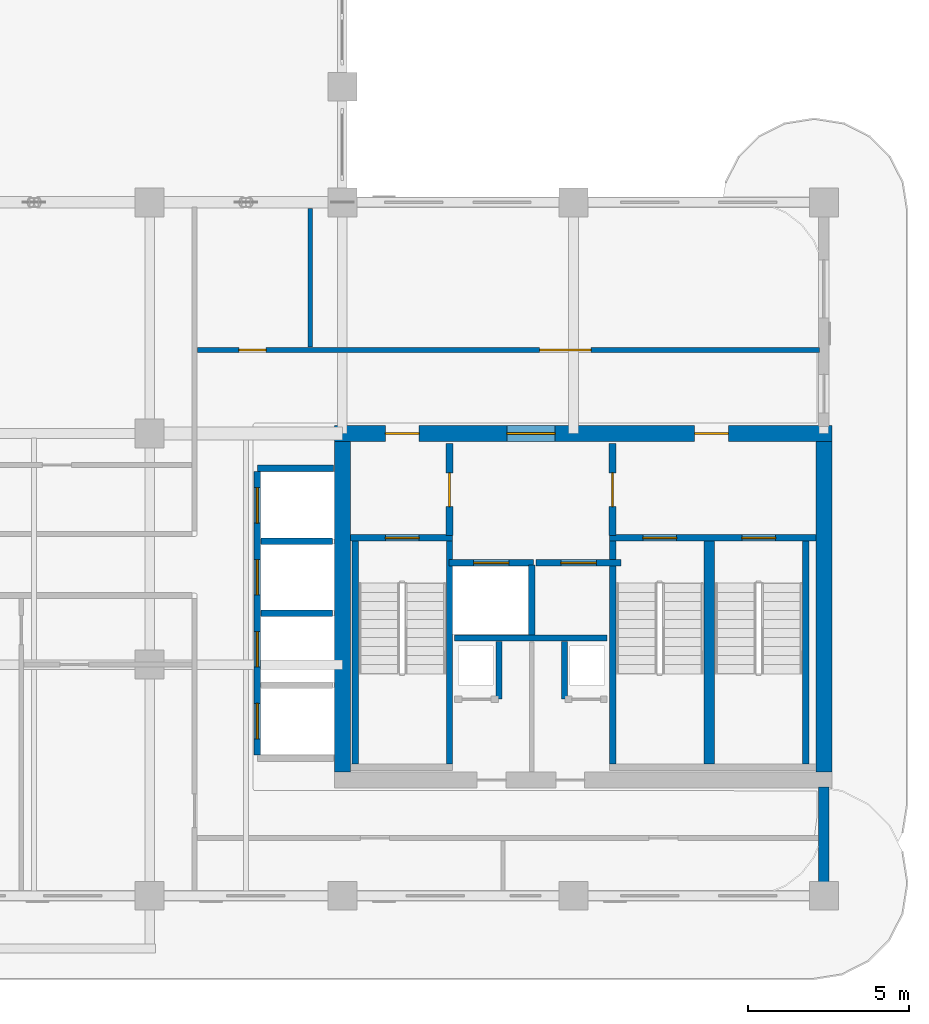
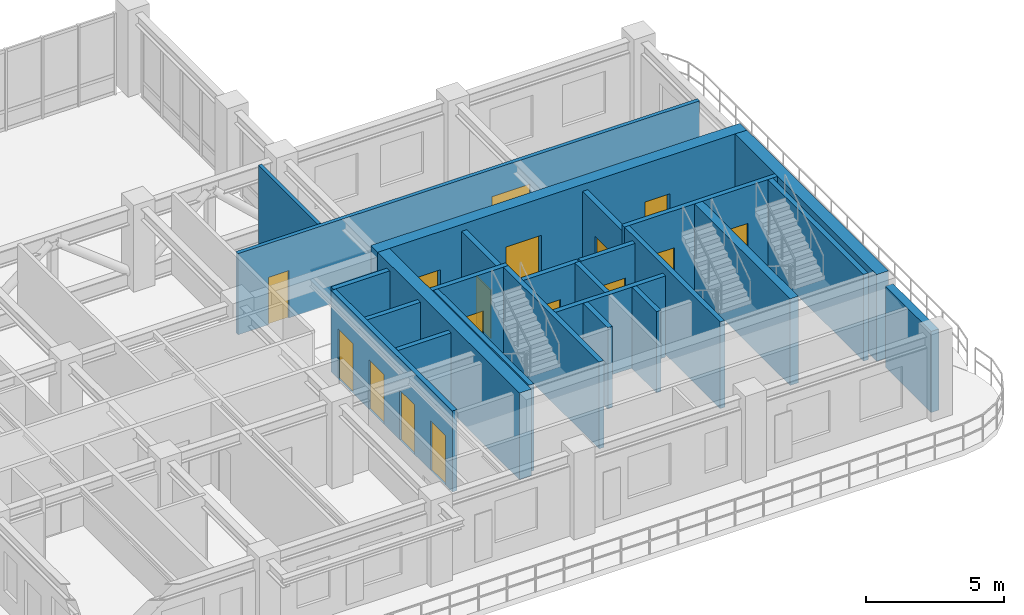
# One storey, part 12 of 19: 25 walls, 16 doors, 16 openings.
"""IFC4 building model written with IfcOpenShell, lengths in metres."""

from ifc_helpers import new_model, si_unit, derived_unit, direction, frame, frame_2d, origin, place, context, subcontext, project, spatial, rectangle, extrude, source, transform, mapped, material, layer, layer_set, type_object, type_shapes, element, fill, save


model = new_model("IFC4")

# Units and contexts
model_context = context("Model", 3, precision=1e-05, world=origin(), true_north=direction((0.0, 1.0)))
body_context = subcontext(model_context, "Body", "Model", "MODEL_VIEW")
ifc_project = project(units=[si_unit("LENGTHUNIT", "METRE"), si_unit("AREAUNIT", "SQUARE_METRE"), si_unit("VOLUMEUNIT", "CUBIC_METRE"), si_unit("PLANEANGLEUNIT", "RADIAN"), si_unit("MASSUNIT", "GRAM", prefix="KILO"), si_unit("THERMODYNAMICTEMPERATUREUNIT", "KELVIN"), si_unit("POWERUNIT", "WATT"), derived_unit("THERMALTRANSMITTANCEUNIT", [(si_unit("POWERUNIT", "WATT"), 1), (si_unit("AREAUNIT", "SQUARE_METRE"), -1), (si_unit("THERMODYNAMICTEMPERATUREUNIT", "KELVIN"), -1)])], contexts=[model_context])

# Site, building, storey
site_placement = place(None, origin())
site = spatial("IfcSite", under=ifc_project, at=site_placement, CompositionType="ELEMENT")
building_placement = place(site_placement, origin())
building = spatial("IfcBuilding", under=site, at=building_placement, Name="Zahravan Archway Hotel and Residences", CompositionType="ELEMENT")
storey_placement = place(building_placement, frame((0.0, 0.0, 201.89990234375)))
storey = spatial("IfcBuildingStorey", under=building, at=storey_placement, Name="L50", CompositionType="ELEMENT", Elevation=201.89990234375)

# Wall, openings, doors
ifc_material_1 = material(Name="Concrete C60/75", Category="concrete")
ifc_layer_1 = layer(ifc_material_1, 0.5, Name="Concrete C60/75", Category="concrete")
ifc_layer_set_1 = layer_set([ifc_layer_1], Name="Concrete C60/75")
wall_type_1 = type_object("IfcWallType", Name="CW-CORE-500", PredefinedType="SHEAR", material=ifc_layer_set_1)
wall_1_placement = place(storey_placement, frame((34.550048828125, 14.39990234375, 0.0), z_axis=(0.0, 0.0, 1.0), x_axis=(1.0, 0.0, 0.0)))
wall_1 = element("IfcWall", 1, at=wall_1_placement, inside=storey, type_object=wall_type_1, Name="L50 Core A Shear N Wall 500 mm", PredefinedType="SHEAR", context=body_context, shape_type="SweptSolid", body=[
    extrude(rectangle(XDim=15.5, YDim=0.5, at=frame_2d((7.75, 0.0))), origin(), (0.0, 0.0, 1.0), 3.85009765625),
])
opening_1_placement = place(wall_1_placement, frame((5.3798828125, 0.0, 0.0)))
opening_1 = element("IfcOpeningElement", 2, at=opening_1_placement, cuts=wall_1, Name="Opening FD-L1", PredefinedType="OPENING", context=body_context, shape_type="SweptSolid", body=[
    extrude(rectangle(XDim=1.5, YDim=2.199951171875, at=frame_2d((0.75, 1.10009765625))), frame((0.0, 0.260009765625, 0.0), z_axis=(0.0, -1.0, 0.0), x_axis=(1.0, 0.0, 0.0)), (0.0, 0.0, 1.0), 0.52001953125),
])
opening_2_placement = place(wall_1_placement, frame((1.594970703125, 0.0, 0.0)))
opening_2 = element("IfcOpeningElement", 3, at=opening_2_placement, cuts=wall_1, Name="Opening FD-L2", PredefinedType="OPENING", context=body_context, shape_type="SweptSolid", body=[
    extrude(rectangle(XDim=1.050048828125, YDim=2.14990234375, at=frame_2d((0.52490234375, 1.074951171875))), frame((0.0, 0.260009765625, 0.0), z_axis=(0.0, -1.0, 0.0), x_axis=(1.0, 0.0, 0.0)), (0.0, 0.0, 1.0), 0.52001953125),
])
opening_3_placement = place(wall_1_placement, frame((11.22509765625, 0.0, 0.0)))
opening_3 = element("IfcOpeningElement", 4, at=opening_3_placement, cuts=wall_1, Name="Opening FD-L2", PredefinedType="OPENING", context=body_context, shape_type="SweptSolid", body=[
    extrude(rectangle(XDim=1.050048828125, YDim=2.14990234375, at=frame_2d((0.52490234375, 1.074951171875))), frame((0.0, 0.260009765625, 0.0), z_axis=(0.0, -1.0, 0.0), x_axis=(1.0, 0.0, 0.0)), (0.0, 0.0, 1.0), 0.52001953125),
])
ifc_material_2 = material(Name="Fire-Rated Painted Steel", Category="steel")
door_type_1 = type_object("IfcDoorType", Name="FD-LOBBY-1100", OperationType="NOTDEFINED", PredefinedType="DOOR", material=ifc_material_2)
shared_shape_1 = source(origin(), body_context, "Body", "SweptSolid", [
    extrude(rectangle(XDim=1.050048828125, YDim=2.14990234375, at=frame_2d((0.52490234375, 1.074951171875))), frame((0.0, 0.02490234375, 0.0), z_axis=(0.0, -1.0, 0.0), x_axis=(1.0, 0.0, 0.0)), (0.0, 0.0, 1.0), 0.050048828125),
])
type_shapes(door_type_1, [shared_shape_1])
door_1_placement = place(opening_2_placement, origin())
door_1 = element("IfcDoor", 5, at=door_1_placement, inside=storey, type_object=door_type_1, Name="L50 Core A West Stair Lobby Door", OperationType="SINGLE_SWING_LEFT", OverallHeight=2.14990234375, OverallWidth=1.050048828125, PredefinedType="DOOR", context=body_context, shape_type="MappedRepresentation", body=[
    mapped(shared_shape_1, transform((0.0, 0.0, 0.0), scale=1.0)),
])
fill(opening_2, door_1)
door_2_placement = place(opening_3_placement, origin())
door_2 = element("IfcDoor", 6, at=door_2_placement, inside=storey, type_object=door_type_1, Name="L50 Core A East Stair Lobby Door", OperationType="SINGLE_SWING_RIGHT", OverallHeight=2.14990234375, OverallWidth=1.050048828125, PredefinedType="DOOR", context=body_context, shape_type="MappedRepresentation", body=[
    mapped(shared_shape_1, transform((0.0, 0.0, 0.0), scale=1.0)),
])
fill(opening_3, door_2)
door_type_2 = type_object("IfcDoorType", Name="FD-LOBBY-1500", OperationType="DOUBLE_DOOR_SINGLE_SWING", PredefinedType="DOOR", material=ifc_material_2)
shared_shape_2 = source(origin(), body_context, "Body", "SweptSolid", [
    extrude(rectangle(XDim=1.5, YDim=2.199951171875, at=frame_2d((0.75, 1.10009765625))), frame((0.0, 0.02490234375, 0.0), z_axis=(0.0, -1.0, 0.0), x_axis=(1.0, 0.0, 0.0)), (0.0, 0.0, 1.0), 0.050048828125),
])
type_shapes(door_type_2, [shared_shape_2])
door_3_placement = place(opening_1_placement, origin())
door_3 = element("IfcDoor", 7, at=door_3_placement, inside=storey, type_object=door_type_2, Name="L50 Core A FSAE Lobby Main Door", OperationType="DOUBLE_DOOR_SINGLE_SWING", OverallHeight=2.199951171875, OverallWidth=1.5, PredefinedType="DOOR", context=body_context, shape_type="MappedRepresentation", body=[
    mapped(shared_shape_2, transform((0.0, 0.0, 0.0), scale=1.0)),
])
fill(opening_1, door_3)

# Walls
for number, where, z_axis, x_axis, name in (
    (8, (34.800048828125, 3.85009765625, 0.0), (0.0, 0.0, 1.0), (0.0, 1.0, 0.0), "L50 Core A Shear W Wall 500 mm"),
    (9, (49.800048828125, 3.85009765625, 0.0), (0.0, 0.0, 1.0), (0.0, 1.0, 0.0), "L50 Core A Shear E Wall 500 mm"),
):
    element("IfcWall", number, at=place(storey_placement, frame(where, z_axis=z_axis, x_axis=x_axis)), inside=storey, type_object=wall_type_1, Name=name, PredefinedType="SHEAR", context=body_context, shape_type="SweptSolid", body=[
        extrude(rectangle(XDim=10.2998046875, YDim=0.5, at=frame_2d((5.14990234375, 0.0))), origin(), (0.0, 0.0, 1.0), 3.85009765625),
    ])
ifc_material_3 = material(Name="Agra Buff Sandstone & Insulated Backup", Category="masonry")
ifc_layer_2 = layer(ifc_material_3, 0.320068359375, Name="Agra Buff Sandstone & Insulated Backup", Category="masonry")
ifc_layer_set_2 = layer_set([ifc_layer_2], Name="Agra Buff Sandstone & Insulated Backup")
wall_type_2 = type_object("IfcWallType", Name="EW-SAND-320", PredefinedType="SOLIDWALL", material=ifc_layer_set_2)
wall_2_placement = place(storey_placement, frame((49.800048828125, 0.050048828125, 0.0), z_axis=(0.0, 0.0, 1.0), x_axis=(0.0, 1.0, 0.0)))
element("IfcWall", 10, at=wall_2_placement, inside=storey, type_object=wall_type_2, Name="L50 Exterior Sandstone Wall WA-ES", PredefinedType="SOLIDWALL", context=body_context, shape_type="SweptSolid", body=[
    extrude(rectangle(XDim=3.329833984375, YDim=0.320068359375, at=frame_2d((1.6650390625, 0.0))), origin(), (0.0, 0.0, 1.0), 3.60009765625),
])

# Wall, opening, door
ifc_material_4 = material(Name="Fire-Rated Gypsum & Concrete Block", Category="concrete")
ifc_layer_3 = layer(ifc_material_4, 0.219970703125, Name="Fire-Rated Gypsum & Concrete Block", Category="concrete")
ifc_layer_set_3 = layer_set([ifc_layer_3], Name="Fire-Rated Gypsum & Concrete Block")
wall_type_3 = type_object("IfcWallType", Name="PW-COMP-220", PredefinedType="PARTITIONING", material=ifc_layer_set_3)
wall_3_placement = place(storey_placement, frame((38.139892578125, 11.219970703125, 0.0), z_axis=(0.0, 0.0, 1.0), x_axis=(0.0, 1.0, 0.0)))
wall_3 = element("IfcWall", 11, at=wall_3_placement, inside=storey, type_object=wall_type_3, Name="L50 Partition CA-LOBW", PredefinedType="PARTITIONING", context=body_context, shape_type="SweptSolid", body=[
    extrude(rectangle(XDim=2.860107421875, YDim=0.219970703125, at=frame_2d((1.43017578125, 0.0))), origin(), (0.0, 0.0, 1.0), 3.60009765625),
])
opening_4_placement = place(wall_3_placement, frame((0.905029296875, 0.0, 0.0)))
opening_4 = element("IfcOpeningElement", 12, at=opening_4_placement, cuts=wall_3, Name="Opening FD-L2", PredefinedType="OPENING", context=body_context, shape_type="SweptSolid", body=[
    extrude(rectangle(XDim=1.050048828125, YDim=2.14990234375, at=frame_2d((0.52490234375, 1.074951171875))), frame((0.0, 0.1201171875, 0.0), z_axis=(0.0, -1.0, 0.0), x_axis=(1.0, 0.0, 0.0)), (0.0, 0.0, 1.0), 0.239990234375),
])
door_4_placement = place(opening_4_placement, origin())
door_4 = element("IfcDoor", 13, at=door_4_placement, inside=storey, type_object=door_type_1, Name="L50 Core A West Stair to FSAE Lobby Door", OperationType="SINGLE_SWING_LEFT", OverallHeight=2.14990234375, OverallWidth=1.050048828125, PredefinedType="DOOR", context=body_context, shape_type="MappedRepresentation", body=[
    mapped(shared_shape_1, transform((0.0, 0.0, 0.0), scale=1.0)),
])
fill(opening_4, door_4)

wall_4_placement = place(storey_placement, frame((43.219970703125, 11.219970703125, 0.0), z_axis=(0.0, 0.0, 1.0), x_axis=(0.0, 1.0, 0.0)))
wall_4 = element("IfcWall", 14, at=wall_4_placement, inside=storey, type_object=wall_type_3, Name="L50 Partition CA-LOBE", PredefinedType="PARTITIONING", context=body_context, shape_type="SweptSolid", body=[
    extrude(rectangle(XDim=2.860107421875, YDim=0.219970703125, at=frame_2d((1.43017578125, 0.0))), origin(), (0.0, 0.0, 1.0), 3.60009765625),
])
opening_5_placement = place(wall_4_placement, frame((0.905029296875, 0.0, 0.0)))
opening_5 = element("IfcOpeningElement", 15, at=opening_5_placement, cuts=wall_4, Name="Opening FD-L2", PredefinedType="OPENING", context=body_context, shape_type="SweptSolid", body=[
    extrude(rectangle(XDim=1.050048828125, YDim=2.14990234375, at=frame_2d((0.52490234375, 1.074951171875))), frame((0.0, 0.1201171875, 0.0), z_axis=(0.0, -1.0, 0.0), x_axis=(1.0, 0.0, 0.0)), (0.0, 0.0, 1.0), 0.239990234375),
])
door_5_placement = place(opening_5_placement, origin())
door_5 = element("IfcDoor", 16, at=door_5_placement, inside=storey, type_object=door_type_1, Name="L50 Core A East Stair to FSAE Lobby Door", OperationType="SINGLE_SWING_RIGHT", OverallHeight=2.14990234375, OverallWidth=1.050048828125, PredefinedType="DOOR", context=body_context, shape_type="MappedRepresentation", body=[
    mapped(shared_shape_1, transform((0.0, 0.0, 0.0), scale=1.0)),
])
fill(opening_5, door_5)

# Wall, openings, doors
ifc_layer_4 = layer(ifc_material_4, 0.159912109375, Name="Fire-Rated Gypsum & Concrete Block", Category="concrete")
ifc_layer_set_4 = layer_set([ifc_layer_4], Name="Fire-Rated Gypsum & Concrete Block")
wall_type_4 = type_object("IfcWallType", Name="PW-CORR-160", PredefinedType="PARTITIONING", material=ifc_layer_set_4)
wall_5_placement = place(storey_placement, frame((30.2900390625, 17.0, 0.0), z_axis=(0.0, 0.0, 1.0), x_axis=(1.0, 0.0, 0.0)))
wall_5 = element("IfcWall", 17, at=wall_5_placement, inside=storey, type_object=wall_type_4, Name="L50 Partition WA-FN", PredefinedType="PARTITIONING", context=body_context, shape_type="SweptSolid", body=[
    extrude(rectangle(XDim=19.369873046875, YDim=0.159912109375, at=frame_2d((9.68505859375, 0.0))), origin(), (0.0, 0.0, 1.0), 3.60009765625),
])
opening_6_placement = place(wall_5_placement, frame((1.284912109375, 0.0, 0.0)))
opening_6 = element("IfcOpeningElement", 18, at=opening_6_placement, cuts=wall_5, Name="Opening D-B1", PredefinedType="OPENING", context=body_context, shape_type="SweptSolid", body=[
    extrude(rectangle(XDim=0.85009765625, YDim=2.10009765625, at=frame_2d((0.425048828125, 1.050048828125))), frame((0.0, 0.08984375, 0.0), z_axis=(0.0, -1.0, 0.0), x_axis=(1.0, 0.0, 0.0)), (0.0, 0.0, 1.0), 0.179931640625),
])
opening_7_placement = place(wall_5_placement, frame((10.659912109375, 0.0, 0.0)))
opening_7 = element("IfcOpeningElement", 19, at=opening_7_placement, cuts=wall_5, Name="Opening D-P2", PredefinedType="OPENING", context=body_context, shape_type="SweptSolid", body=[
    extrude(rectangle(XDim=1.60009765625, YDim=2.39990234375, at=frame_2d((0.800048828125, 1.199951171875))), frame((0.0, 0.08984375, 0.0), z_axis=(0.0, -1.0, 0.0), x_axis=(1.0, 0.0, 0.0)), (0.0, 0.0, 1.0), 0.179931640625),
])
ifc_material_5 = material(Name="Bronze-Anodized Glazed Aluminium", Category="aluminium")
door_type_3 = type_object("IfcDoorType", Name="ID-PUBLIC-1600", OperationType="DOUBLE_DOOR_SINGLE_SWING", PredefinedType="DOOR", material=ifc_material_5)
shared_shape_3 = source(origin(), body_context, "Body", "SweptSolid", [
    extrude(rectangle(XDim=1.60009765625, YDim=2.39990234375, at=frame_2d((0.800048828125, 1.199951171875))), frame((0.0, 0.02490234375, 0.0), z_axis=(0.0, -1.0, 0.0), x_axis=(1.0, 0.0, 0.0)), (0.0, 0.0, 1.0), 0.050048828125),
])
type_shapes(door_type_3, [shared_shape_3])
door_6_placement = place(opening_7_placement, origin())
door_6 = element("IfcDoor", 20, at=door_6_placement, inside=storey, type_object=door_type_3, Name="L50 North Fitness Gym Door", OperationType="DOUBLE_DOOR_SINGLE_SWING", OverallHeight=2.39990234375, OverallWidth=1.60009765625, PredefinedType="DOOR", context=body_context, shape_type="MappedRepresentation", body=[
    mapped(shared_shape_3, transform((0.0, 0.0, 0.0), scale=1.0)),
])
fill(opening_7, door_6)
ifc_material_6 = material(Name="Hardwood Veneer Timber", Category="wood")
door_type_4 = type_object("IfcDoorType", Name="ID-BATH-850", OperationType="NOTDEFINED", PredefinedType="DOOR", material=ifc_material_6)
shared_shape_4 = source(origin(), body_context, "Body", "SweptSolid", [
    extrude(rectangle(XDim=0.85009765625, YDim=2.10009765625, at=frame_2d((0.425048828125, 1.050048828125))), frame((0.0, 0.02490234375, 0.0), z_axis=(0.0, -1.0, 0.0), x_axis=(1.0, 0.0, 0.0)), (0.0, 0.0, 1.0), 0.050048828125),
])
type_shapes(door_type_4, [shared_shape_4])
door_7_placement = place(opening_6_placement, origin())
door_7 = element("IfcDoor", 21, at=door_7_placement, inside=storey, type_object=door_type_4, Name="L50 Accessible Restroom Door", OperationType="SINGLE_SWING_LEFT", OverallHeight=2.10009765625, OverallWidth=0.85009765625, PredefinedType="DOOR", context=body_context, shape_type="MappedRepresentation", body=[
    mapped(shared_shape_4, transform((0.0, 0.0, 0.0), scale=1.0)),
])
fill(opening_6, door_7)

# Walls
ifc_layer_5 = layer(ifc_material_4, 0.199951171875, Name="Fire-Rated Gypsum & Concrete Block", Category="concrete")
ifc_layer_set_5 = layer_set([ifc_layer_5], Name="Fire-Rated Gypsum & Concrete Block")
wall_type_5 = type_object("IfcWallType", Name="PW-SHAFT-200", PredefinedType="PARTITIONING", material=ifc_layer_set_5)
wall_6_placement = place(storey_placement, frame((38.300048828125, 8.030029296875, 0.0), z_axis=(0.0, 0.0, 1.0), x_axis=(1.0, 0.0, 0.0)))
element("IfcWall", 22, at=wall_6_placement, inside=storey, type_object=wall_type_5, Name="L50 Partition CA-FLS", PredefinedType="PARTITIONING", context=body_context, shape_type="SweptSolid", body=[
    extrude(rectangle(XDim=4.739990234375, YDim=0.199951171875, at=frame_2d((2.3701171875, 0.0))), origin(), (0.0, 0.0, 1.0), 3.60009765625),
])
wall_7_placement = place(storey_placement, frame((40.699951171875, 8.1201171875, 0.0), z_axis=(0.0, 0.0, 1.0), x_axis=(0.0, 1.0, 0.0)))
element("IfcWall", 23, at=wall_7_placement, inside=storey, type_object=wall_type_5, Name="L50 Partition CA-FLM", PredefinedType="PARTITIONING", context=body_context, shape_type="SweptSolid", body=[
    extrude(rectangle(XDim=2.179931640625, YDim=0.199951171875, at=frame_2d((1.08984375, 0.0))), origin(), (0.0, 0.0, 1.0), 3.60009765625),
])
for number, where, z_axis, x_axis, name in (
    (24, (39.679931640625, 6.1298828125, 0.0), (0.0, 0.0, 1.0), (0.0, 1.0, 0.0), "L50 Partition CA-SMKE"),
    (25, (41.719970703125, 6.1298828125, 0.0), (0.0, 0.0, 1.0), (0.0, 1.0, 0.0), "L50 Partition CA-MEPW"),
):
    element("IfcWall", number, at=place(storey_placement, frame(where, z_axis=z_axis, x_axis=x_axis)), inside=storey, type_object=wall_type_5, Name=name, PredefinedType="PARTITIONING", context=body_context, shape_type="SweptSolid", body=[
        extrude(rectangle(XDim=1.7900390625, YDim=0.199951171875, at=frame_2d((0.89501953125, 0.0))), origin(), (0.0, 0.0, 1.0), 3.60009765625),
    ])
wall_8_placement = place(storey_placement, frame((32.159912109375, 13.320068359375, 0.0), z_axis=(0.0, 0.0, 1.0), x_axis=(1.0, 0.0, 0.0)))
element("IfcWall", 26, at=wall_8_placement, inside=storey, type_object=wall_type_5, Name="L50 Partition B3-N", PredefinedType="PARTITIONING", context=body_context, shape_type="SweptSolid", body=[
    extrude(rectangle(XDim=2.360107421875, YDim=0.199951171875, at=frame_2d((1.18017578125, 0.0))), origin(), (0.0, 0.0, 1.0), 3.60009765625),
])

# Wall, openings, doors
wall_9_placement = place(storey_placement, frame((32.14990234375, 4.389892578125, 0.0), z_axis=(0.0, 0.0, 1.0), x_axis=(0.0, 1.0, 0.0)))
wall_9 = element("IfcWall", 27, at=wall_9_placement, inside=storey, type_object=wall_type_5, Name="L50 Partition B3-W", PredefinedType="PARTITIONING", context=body_context, shape_type="SweptSolid", body=[
    extrude(rectangle(XDim=8.820068359375, YDim=0.199951171875, at=frame_2d((4.41015625, 0.0))), origin(), (0.0, 0.0, 1.0), 3.60009765625),
])
opening_8_placement = place(wall_9_placement, frame((0.5, 0.0, 0.0)))
opening_8 = element("IfcOpeningElement", 28, at=opening_8_placement, cuts=wall_9, Name="Opening LD", PredefinedType="OPENING", context=body_context, shape_type="SweptSolid", body=[
    extrude(rectangle(XDim=1.10009765625, YDim=2.199951171875, at=frame_2d((0.550048828125, 1.10009765625))), frame((0.0, 0.10986328125, 0.0), z_axis=(0.0, -1.0, 0.0), x_axis=(1.0, 0.0, 0.0)), (0.0, 0.0, 1.0), 0.219970703125),
])
opening_9_placement = place(wall_9_placement, frame((2.739990234375, 0.0, 0.0)))
opening_9 = element("IfcOpeningElement", 29, at=opening_9_placement, cuts=wall_9, Name="Opening LD", PredefinedType="OPENING", context=body_context, shape_type="SweptSolid", body=[
    extrude(rectangle(XDim=1.10009765625, YDim=2.199951171875, at=frame_2d((0.550048828125, 1.10009765625))), frame((0.0, 0.10986328125, 0.0), z_axis=(0.0, -1.0, 0.0), x_axis=(1.0, 0.0, 0.0)), (0.0, 0.0, 1.0), 0.219970703125),
])
opening_10_placement = place(wall_9_placement, frame((4.97998046875, 0.0, 0.0)))
opening_10 = element("IfcOpeningElement", 30, at=opening_10_placement, cuts=wall_9, Name="Opening LD", PredefinedType="OPENING", context=body_context, shape_type="SweptSolid", body=[
    extrude(rectangle(XDim=1.10009765625, YDim=2.199951171875, at=frame_2d((0.550048828125, 1.10009765625))), frame((0.0, 0.10986328125, 0.0), z_axis=(0.0, -1.0, 0.0), x_axis=(1.0, 0.0, 0.0)), (0.0, 0.0, 1.0), 0.219970703125),
])
opening_11_placement = place(wall_9_placement, frame((7.219970703125, 0.0, 0.0)))
opening_11 = element("IfcOpeningElement", 31, at=opening_11_placement, cuts=wall_9, Name="Opening LD", PredefinedType="OPENING", context=body_context, shape_type="SweptSolid", body=[
    extrude(rectangle(XDim=1.10009765625, YDim=2.199951171875, at=frame_2d((0.550048828125, 1.10009765625))), frame((0.0, 0.10986328125, 0.0), z_axis=(0.0, -1.0, 0.0), x_axis=(1.0, 0.0, 0.0)), (0.0, 0.0, 1.0), 0.219970703125),
])
ifc_material_7 = material(Name="Brushed Stainless Steel", Category="steel")
door_type_5 = type_object("IfcDoorType", Name="DR-LIFT-LD", OperationType="SLIDING_TO_LEFT", PredefinedType="DOOR", material=ifc_material_7)
shared_shape_5 = source(origin(), body_context, "Body", "SweptSolid", [
    extrude(rectangle(XDim=1.10009765625, YDim=2.199951171875, at=frame_2d((0.550048828125, 1.10009765625))), frame((0.0, 0.02490234375, 0.0), z_axis=(0.0, -1.0, 0.0), x_axis=(1.0, 0.0, 0.0)), (0.0, 0.0, 1.0), 0.050048828125),
])
type_shapes(door_type_5, [shared_shape_5])
door_8_placement = place(opening_8_placement, origin())
door_8 = element("IfcDoor", 32, at=door_8_placement, inside=storey, type_object=door_type_5, Name="L50 Lift LP-7 Sliding Landing Door", OperationType="SLIDING_TO_LEFT", OverallHeight=2.199951171875, OverallWidth=1.10009765625, PredefinedType="DOOR", context=body_context, shape_type="MappedRepresentation", body=[
    mapped(shared_shape_5, transform((0.0, 0.0, 0.0), scale=1.0)),
])
fill(opening_8, door_8)
door_9_placement = place(opening_9_placement, origin())
door_9 = element("IfcDoor", 33, at=door_9_placement, inside=storey, type_object=door_type_5, Name="L50 Lift LP-8 Sliding Landing Door", OperationType="SLIDING_TO_LEFT", OverallHeight=2.199951171875, OverallWidth=1.10009765625, PredefinedType="DOOR", context=body_context, shape_type="MappedRepresentation", body=[
    mapped(shared_shape_5, transform((0.0, 0.0, 0.0), scale=1.0)),
])
fill(opening_9, door_9)
door_10_placement = place(opening_10_placement, origin())
door_10 = element("IfcDoor", 34, at=door_10_placement, inside=storey, type_object=door_type_5, Name="L50 Lift LP-9 Sliding Landing Door", OperationType="SLIDING_TO_LEFT", OverallHeight=2.199951171875, OverallWidth=1.10009765625, PredefinedType="DOOR", context=body_context, shape_type="MappedRepresentation", body=[
    mapped(shared_shape_5, transform((0.0, 0.0, 0.0), scale=1.0)),
])
fill(opening_10, door_10)
door_11_placement = place(opening_11_placement, origin())
door_11 = element("IfcDoor", 35, at=door_11_placement, inside=storey, type_object=door_type_5, Name="L50 Lift LP-10 Sliding Landing Door", OperationType="SLIDING_TO_LEFT", OverallHeight=2.199951171875, OverallWidth=1.10009765625, PredefinedType="DOOR", context=body_context, shape_type="MappedRepresentation", body=[
    mapped(shared_shape_5, transform((0.0, 0.0, 0.0), scale=1.0)),
])
fill(opening_11, door_11)

# Walls
for number, where, z_axis, x_axis, name in (
    (36, (32.260009765625, 8.800048828125, 0.0), (0.0, 0.0, 1.0), (1.0, 0.0, 0.0), "L50 Partition B3-D"),
    (37, (32.260009765625, 11.0400390625, 0.0), (0.0, 0.0, 1.0), (1.0, 0.0, 0.0), "L50 Partition B3-D"),
):
    element("IfcWall", number, at=place(storey_placement, frame(where, z_axis=z_axis, x_axis=x_axis)), inside=storey, type_object=wall_type_5, Name=name, PredefinedType="PARTITIONING", context=body_context, shape_type="SweptSolid", body=[
        extrude(rectangle(XDim=2.22998046875, YDim=0.199951171875, at=frame_2d((1.114990234375, 0.0))), origin(), (0.0, 0.0, 1.0), 3.60009765625),
    ])

# Wall, opening, door
wall_10_placement = place(storey_placement, frame((38.1201171875, 10.3701171875, 0.0), z_axis=(0.0, 0.0, 1.0), x_axis=(1.0, 0.0, 0.0)))
wall_10 = element("IfcWall", 38, at=wall_10_placement, inside=storey, type_object=wall_type_5, Name="L50 Lift FL-1 Front Wall", PredefinedType="PARTITIONING", context=body_context, shape_type="SweptSolid", body=[
    extrude(rectangle(XDim=2.639892578125, YDim=0.199951171875, at=frame_2d((1.31982421875, 0.0))), origin(), (0.0, 0.0, 1.0), 3.60009765625),
])
opening_12_placement = place(wall_10_placement, frame((0.77001953125, 0.0, 0.0)))
opening_12 = element("IfcOpeningElement", 39, at=opening_12_placement, cuts=wall_10, Name="Opening LD", PredefinedType="OPENING", context=body_context, shape_type="SweptSolid", body=[
    extrude(rectangle(XDim=1.10009765625, YDim=2.199951171875, at=frame_2d((0.550048828125, 1.10009765625))), frame((0.0, 0.10986328125, 0.0), z_axis=(0.0, -1.0, 0.0), x_axis=(1.0, 0.0, 0.0)), (0.0, 0.0, 1.0), 0.219970703125),
])
door_12_placement = place(opening_12_placement, origin())
door_12 = element("IfcDoor", 40, at=door_12_placement, inside=storey, type_object=door_type_5, Name="L50 Lift FL-1 Sliding Landing Door", OperationType="SLIDING_TO_LEFT", OverallHeight=2.199951171875, OverallWidth=1.10009765625, PredefinedType="DOOR", context=body_context, shape_type="MappedRepresentation", body=[
    mapped(shared_shape_5, transform((0.0, 0.0, 0.0), scale=1.0)),
])
fill(opening_12, door_12)

wall_11_placement = place(storey_placement, frame((40.840087890625, 10.3701171875, 0.0), z_axis=(0.0, 0.0, 1.0), x_axis=(1.0, 0.0, 0.0)))
wall_11 = element("IfcWall", 41, at=wall_11_placement, inside=storey, type_object=wall_type_5, Name="L50 Lift FL-2 Front Wall", PredefinedType="PARTITIONING", context=body_context, shape_type="SweptSolid", body=[
    extrude(rectangle(XDim=2.639892578125, YDim=0.199951171875, at=frame_2d((1.31982421875, 0.0))), origin(), (0.0, 0.0, 1.0), 3.60009765625),
])
opening_13_placement = place(wall_11_placement, frame((0.77001953125, 0.0, 0.0)))
opening_13 = element("IfcOpeningElement", 42, at=opening_13_placement, cuts=wall_11, Name="Opening LD", PredefinedType="OPENING", context=body_context, shape_type="SweptSolid", body=[
    extrude(rectangle(XDim=1.10009765625, YDim=2.199951171875, at=frame_2d((0.550048828125, 1.10009765625))), frame((0.0, 0.10986328125, 0.0), z_axis=(0.0, -1.0, 0.0), x_axis=(1.0, 0.0, 0.0)), (0.0, 0.0, 1.0), 0.219970703125),
])
door_13_placement = place(opening_13_placement, origin())
door_13 = element("IfcDoor", 43, at=door_13_placement, inside=storey, type_object=door_type_5, Name="L50 Lift FL-2 Sliding Landing Door", OperationType="SLIDING_TO_LEFT", OverallHeight=2.199951171875, OverallWidth=1.10009765625, PredefinedType="DOOR", context=body_context, shape_type="MappedRepresentation", body=[
    mapped(shared_shape_5, transform((0.0, 0.0, 0.0), scale=1.0)),
])
fill(opening_13, door_13)

# Walls
ifc_material_8 = material(Name="Moisture-Resistant Blockwork", Category="masonry")
ifc_layer_6 = layer(ifc_material_8, 0.139892578125, Name="Moisture-Resistant Blockwork", Category="masonry")
ifc_layer_set_6 = layer_set([ifc_layer_6], Name="Moisture-Resistant Blockwork")
wall_type_6 = type_object("IfcWallType", Name="PW-WET-140", PredefinedType="PARTITIONING", material=ifc_layer_set_6)
wall_12_placement = place(storey_placement, frame((33.800048828125, 17.090087890625, 0.0), z_axis=(0.0, 0.0, 1.0), x_axis=(0.0, 1.0, 0.0)))
element("IfcWall", 44, at=wall_12_placement, inside=storey, type_object=wall_type_6, Name="L50 Partition NE1-1", PredefinedType="PARTITIONING", context=body_context, shape_type="SweptSolid", body=[
    extrude(rectangle(XDim=4.31982421875, YDim=0.139892578125, at=frame_2d((2.159912109375, 0.0))), origin(), (0.0, 0.0, 1.0), 3.60009765625),
])
ifc_material_9 = material(Name="Concrete C50/60", Category="concrete")
ifc_layer_7 = layer(ifc_material_9, 0.199951171875, Name="Concrete C50/60", Category="concrete")
ifc_layer_set_7 = layer_set([ifc_layer_7], Name="Concrete C50/60")
wall_type_7 = type_object("IfcWallType", Name="SW-STAIR-200", PredefinedType="SHEAR", material=ifc_layer_set_7)
for number, where, z_axis, x_axis, name in (
    (45, (35.199951171875, 4.10009765625, 0.0), (0.0, 0.0, 1.0), (0.0, 1.0, 0.0), "L50 Stairwell RC Wall CA-SA1W"),
    (46, (38.139892578125, 4.10009765625, 0.0), (0.0, 0.0, 1.0), (0.0, 1.0, 0.0), "L50 Stairwell RC Wall CA-SA1E"),
):
    element("IfcWall", number, at=place(storey_placement, frame(where, z_axis=z_axis, x_axis=x_axis)), inside=storey, type_object=wall_type_7, Name=name, PredefinedType="SHEAR", context=body_context, shape_type="SweptSolid", body=[
        extrude(rectangle(XDim=6.949951171875, YDim=0.199951171875, at=frame_2d((3.47509765625, 0.0))), origin(), (0.0, 0.0, 1.0), 3.85009765625),
    ])

# Wall, opening, door
wall_13_placement = place(storey_placement, frame((35.050048828125, 11.14990234375, 0.0), z_axis=(0.0, 0.0, 1.0), x_axis=(1.0, 0.0, 0.0)))
wall_13 = element("IfcWall", 47, at=wall_13_placement, inside=storey, type_object=wall_type_7, Name="L50 Stairwell RC Wall CA-SA1N", PredefinedType="SHEAR", context=body_context, shape_type="SweptSolid", body=[
    extrude(rectangle(XDim=3.18994140625, YDim=0.199951171875, at=frame_2d((1.594970703125, 0.0))), origin(), (0.0, 0.0, 1.0), 3.85009765625),
])
opening_14_placement = place(wall_13_placement, frame((1.094970703125, 0.0, 0.0)))
opening_14 = element("IfcOpeningElement", 48, at=opening_14_placement, cuts=wall_13, Name="Opening FD-S1", PredefinedType="OPENING", context=body_context, shape_type="SweptSolid", body=[
    extrude(rectangle(XDim=1.050048828125, YDim=2.199951171875, at=frame_2d((0.52490234375, 1.10009765625))), frame((0.0, 0.10986328125, 0.0), z_axis=(0.0, -1.0, 0.0), x_axis=(1.0, 0.0, 0.0)), (0.0, 0.0, 1.0), 0.219970703125),
])
door_type_6 = type_object("IfcDoorType", Name="FD-STAIR-1100", OperationType="NOTDEFINED", PredefinedType="DOOR", material=ifc_material_2)
shared_shape_6 = source(origin(), body_context, "Body", "SweptSolid", [
    extrude(rectangle(XDim=1.050048828125, YDim=2.199951171875, at=frame_2d((0.52490234375, 1.10009765625))), frame((0.0, 0.02490234375, 0.0), z_axis=(0.0, -1.0, 0.0), x_axis=(1.0, 0.0, 0.0)), (0.0, 0.0, 1.0), 0.050048828125),
])
type_shapes(door_type_6, [shared_shape_6])
door_14_placement = place(opening_14_placement, origin())
door_14 = element("IfcDoor", 49, at=door_14_placement, inside=storey, type_object=door_type_6, Name="L50 Stair ST-A1 Door", OperationType="SINGLE_SWING_RIGHT", OverallHeight=2.199951171875, OverallWidth=1.050048828125, PredefinedType="DOOR", context=body_context, shape_type="MappedRepresentation", body=[
    mapped(shared_shape_6, transform((0.0, 0.0, 0.0), scale=1.0)),
])
fill(opening_14, door_14)

# Walls
for number, where, z_axis, x_axis, name in (
    (50, (43.219970703125, 4.10009765625, 0.0), (0.0, 0.0, 1.0), (0.0, 1.0, 0.0), "L50 Stairwell RC Wall CA-SA2W"),
    (51, (49.239990234375, 4.10009765625, 0.0), (0.0, 0.0, 1.0), (0.0, 1.0, 0.0), "L50 Stairwell RC Wall CA-SA3E"),
):
    element("IfcWall", number, at=place(storey_placement, frame(where, z_axis=z_axis, x_axis=x_axis)), inside=storey, type_object=wall_type_7, Name=name, PredefinedType="SHEAR", context=body_context, shape_type="SweptSolid", body=[
        extrude(rectangle(XDim=6.949951171875, YDim=0.199951171875, at=frame_2d((3.47509765625, 0.0))), origin(), (0.0, 0.0, 1.0), 3.85009765625),
    ])

# Wall, openings, doors
wall_14_placement = place(storey_placement, frame((43.1201171875, 11.14990234375, 0.0), z_axis=(0.0, 0.0, 1.0), x_axis=(1.0, 0.0, 0.0)))
wall_14 = element("IfcWall", 52, at=wall_14_placement, inside=storey, type_object=wall_type_7, Name="L50 Stairwell RC Wall CA-SA23N", PredefinedType="SHEAR", context=body_context, shape_type="SweptSolid", body=[
    extrude(rectangle(XDim=6.429931640625, YDim=0.199951171875, at=frame_2d((3.21484375, 0.0))), origin(), (0.0, 0.0, 1.0), 3.85009765625),
])
opening_15_placement = place(wall_14_placement, frame((1.044921875, 0.0, 0.0)))
opening_15 = element("IfcOpeningElement", 53, at=opening_15_placement, cuts=wall_14, Name="Opening FD-S1", PredefinedType="OPENING", context=body_context, shape_type="SweptSolid", body=[
    extrude(rectangle(XDim=1.050048828125, YDim=2.199951171875, at=frame_2d((0.52490234375, 1.10009765625))), frame((0.0, 0.10986328125, 0.0), z_axis=(0.0, -1.0, 0.0), x_axis=(1.0, 0.0, 0.0)), (0.0, 0.0, 1.0), 0.219970703125),
])
opening_16_placement = place(wall_14_placement, frame((4.125, 0.0, 0.0)))
opening_16 = element("IfcOpeningElement", 54, at=opening_16_placement, cuts=wall_14, Name="Opening FD-S1", PredefinedType="OPENING", context=body_context, shape_type="SweptSolid", body=[
    extrude(rectangle(XDim=1.050048828125, YDim=2.199951171875, at=frame_2d((0.52490234375, 1.10009765625))), frame((0.0, 0.10986328125, 0.0), z_axis=(0.0, -1.0, 0.0), x_axis=(1.0, 0.0, 0.0)), (0.0, 0.0, 1.0), 0.219970703125),
])
door_15_placement = place(opening_15_placement, origin())
door_15 = element("IfcDoor", 55, at=door_15_placement, inside=storey, type_object=door_type_6, Name="L50 Stair ST-A2 Door", OperationType="SINGLE_SWING_LEFT", OverallHeight=2.199951171875, OverallWidth=1.050048828125, PredefinedType="DOOR", context=body_context, shape_type="MappedRepresentation", body=[
    mapped(shared_shape_6, transform((0.0, 0.0, 0.0), scale=1.0)),
])
fill(opening_15, door_15)
door_16_placement = place(opening_16_placement, origin())
door_16 = element("IfcDoor", 56, at=door_16_placement, inside=storey, type_object=door_type_6, Name="L50 Stair ST-A3 Door", OperationType="SINGLE_SWING_RIGHT", OverallHeight=2.199951171875, OverallWidth=1.050048828125, PredefinedType="DOOR", context=body_context, shape_type="MappedRepresentation", body=[
    mapped(shared_shape_6, transform((0.0, 0.0, 0.0), scale=1.0)),
])
fill(opening_16, door_16)

# Wall
ifc_layer_8 = layer(ifc_material_9, 0.340087890625, Name="Concrete C50/60", Category="concrete")
ifc_layer_set_8 = layer_set([ifc_layer_8], Name="Concrete C50/60")
wall_type_8 = type_object("IfcWallType", Name="SW-STAIR-340", PredefinedType="SHEAR", material=ifc_layer_set_8)
wall_15_placement = place(storey_placement, frame((46.22998046875, 4.10009765625, 0.0), z_axis=(0.0, 0.0, 1.0), x_axis=(0.0, 1.0, 0.0)))
element("IfcWall", 57, at=wall_15_placement, inside=storey, type_object=wall_type_8, Name="L50 Stairwell RC Wall CA-SA23M", PredefinedType="SHEAR", context=body_context, shape_type="SweptSolid", body=[
    extrude(rectangle(XDim=6.949951171875, YDim=0.340087890625, at=frame_2d((3.47509765625, 0.0))), origin(), (0.0, 0.0, 1.0), 3.85009765625),
])

save(model, "model.ifc")
